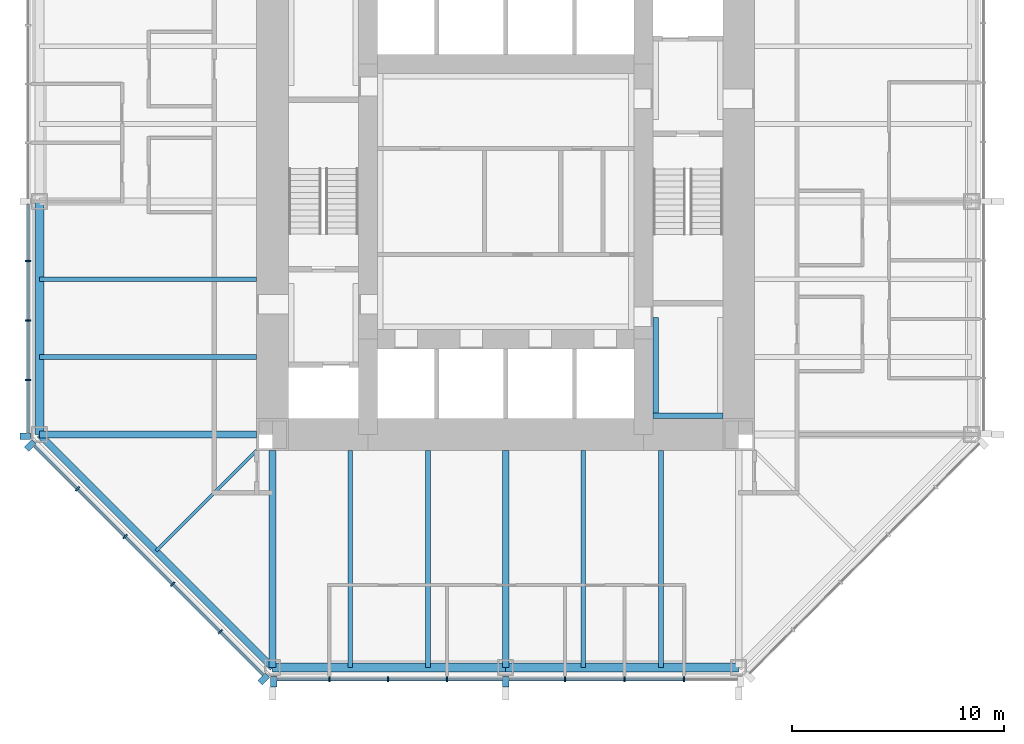
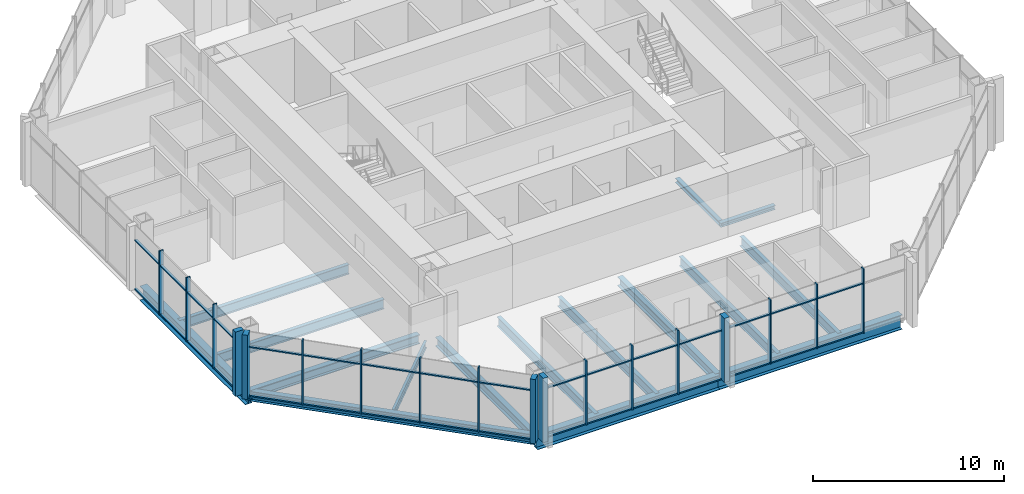
# One storey, part 2 of 12: 50 members, 16 beams, 3 elements without a shape of their own.
"""IFC4 building model written with IfcOpenShell, lengths in metres."""

from ifc_helpers import new_model, si_unit, direction, frame, origin, origin_2d, place, context, subcontext, project, spatial, rectangle, i_section, extrude, material, material_profile, profile_set, type_object, element, aggregate, save


model = new_model("IFC4")

# Units and contexts
model_context = context("Model", 3, precision=1e-05, world=origin(), true_north=direction((0.0, 1.0)))
body_context = subcontext(model_context, "Body", "Model", "MODEL_VIEW")
ifc_project = project(units=[si_unit("LENGTHUNIT", "METRE"), si_unit("AREAUNIT", "SQUARE_METRE"), si_unit("VOLUMEUNIT", "CUBIC_METRE"), si_unit("PLANEANGLEUNIT", "RADIAN"), si_unit("MASSUNIT", "GRAM", prefix="KILO")], contexts=[model_context])

# Site, building, storey
site_placement = place(None, origin())
site = spatial("IfcSite", under=ifc_project, at=site_placement, CompositionType="ELEMENT")
building_placement = place(site_placement, origin())
building = spatial("IfcBuilding", under=site, at=building_placement, Name="Trevanion Tower", CompositionType="ELEMENT")
storey_placement = place(building_placement, frame((0.0, 0.0, 137.699951171875)))
storey = spatial("IfcBuildingStorey", under=building, at=storey_placement, Name="L32", CompositionType="ELEMENT", Elevation=137.699951171875)

# Beams
ifc_material_1 = material(Name="Steel ASTM A992 Grade 50", Category="steel")
ifc_material_profile_1 = material_profile(ifc_material_1, i_section(OverallWidth=0.22900390625, OverallDepth=0.612060546875, WebThickness=0.011962890625, FlangeThickness=0.01953125, at=origin_2d()), Name="W24X84")
ifc_profile_set_1 = profile_set([ifc_material_profile_1], Name="Steel ASTM A992 Grade 50")
beam_type_1 = type_object("IfcBeamType", Name="B7 W24X84", PredefinedType="BEAM", material=ifc_profile_set_1)
for number, where, z_axis, x_axis, name in (
    (1, (-11.75, -3.666748046875, -0.49609375), (-1.0, 0.0, 0.0), (0.0, -1.0, 0.0), "B7 L32"),
    (2, (-11.75, -7.333251953125, -0.49609375), (-1.0, 0.0, 0.0), (0.0, -1.0, 0.0), "B7 L32"),
    (3, (-7.333251953125, -11.75, -0.49609375), (0.0, -1.0, 0.0), (1.0, 0.0, 0.0), "B7 L32"),
    (4, (-3.666748046875, -11.75, -0.49609375), (0.0, -1.0, 0.0), (1.0, 0.0, 0.0), "B7 L32"),
    (5, (3.666748046875, -11.75, -0.49609375), (0.0, -1.0, 0.0), (1.0, 0.0, 0.0), "B7 L32"),
    (6, (7.333251953125, -11.75, -0.49609375), (0.0, -1.0, 0.0), (1.0, 0.0, 0.0), "B7 L32"),
):
    element("IfcBeam", number, at=place(storey_placement, frame(where, z_axis=z_axis, x_axis=x_axis)), inside=storey, type_object=beam_type_1, Name=name, PredefinedType="BEAM", context=body_context, shape_type="SweptSolid", body=[
        extrude(i_section(OverallWidth=0.22900390625, OverallDepth=0.612060546875, WebThickness=0.011962890625, FlangeThickness=0.01953125, at=origin_2d()), origin(), (0.0, 0.0, 1.0), 10.25),
    ])
ifc_material_2 = material(Name="Steel ASTM A992 Grade 50", Category="steel")
ifc_material_profile_2 = material_profile(ifc_material_2, i_section(OverallWidth=0.15234375, OverallDepth=0.449462890625, WebThickness=0.007568359375, FlangeThickness=0.0107421875, at=origin_2d()), Name="W18X35")
ifc_profile_set_2 = profile_set([ifc_material_profile_2], Name="Steel ASTM A992 Grade 50")
beam_type_2 = type_object("IfcBeamType", Name="B8 W18X35", PredefinedType="BEAM", material=ifc_profile_set_2)
beam_1_placement = place(storey_placement, frame((-11.75, -11.75, -0.414794921875), z_axis=(-0.707106781187, -0.707106781187, 0.0), x_axis=(0.707106781187, -0.707106781187, 0.0)))
element("IfcBeam", 7, at=beam_1_placement, inside=storey, type_object=beam_type_2, Name="B8 L32", PredefinedType="BEAM", context=body_context, shape_type="SweptSolid", body=[
    extrude(i_section(OverallWidth=0.15234375, OverallDepth=0.449462890625, WebThickness=0.007568359375, FlangeThickness=0.0107421875, at=origin_2d()), origin(), (0.0, 0.0, 1.0), 6.717529296875),
])

# Curtain wall, members
ifc_material_3 = material(Name="Aluminium and glass", Category="aluminium")
curtain_wall_type = type_object("IfcCurtainWallType", Name="CW2 curtain wall", PredefinedType="USERDEFINED", material=ifc_material_3)
curtain_wall_1_placement = place(storey_placement, origin())
curtain_wall_1 = element("IfcCurtainWall", 8, at=curtain_wall_1_placement, inside=storey, type_object=curtain_wall_type, Name="CW2 L32 4", ObjectType="UNITISED CURTAIN WALL", PredefinedType="USERDEFINED")
ifc_material_4 = material(Name="Aluminium extrusion, anodised bronze", Category="aluminium")
ifc_material_profile_3 = material_profile(ifc_material_4, rectangle(XDim=0.074951171875, YDim=0.25, at=origin_2d()), Name="CW2 mullion")
ifc_profile_set_3 = profile_set([ifc_material_profile_3], Name="Aluminium extrusion, anodised bronze")
member_type_1 = type_object("IfcMemberType", Name="CW2 mullion", PredefinedType="MULLION", material=ifc_profile_set_3)
member_1_placement = place(storey_placement, frame((-22.550048828125, -2.806884765625, -0.18994140625), z_axis=(0.0, 0.0, 1.0), x_axis=(0.0, -1.0, 0.0)))
member_1 = element("IfcMember", 9, at=member_1_placement, type_object=member_type_1, Name="CW2 mullion 6", PredefinedType="MULLION", context=body_context, shape_type="SweptSolid", body=[
    extrude(rectangle(XDim=0.074951171875, YDim=0.25, at=origin_2d()), origin(), (0.0, 0.0, 1.0), 4.10009765625),
])
member_2_placement = place(storey_placement, frame((-22.550048828125, -5.614013671875, -0.18994140625), z_axis=(0.0, 0.0, 1.0), x_axis=(0.0, -1.0, 0.0)))
member_2 = element("IfcMember", 10, at=member_2_placement, type_object=member_type_1, Name="CW2 mullion 7", PredefinedType="MULLION", context=body_context, shape_type="SweptSolid", body=[
    extrude(rectangle(XDim=0.074951171875, YDim=0.25, at=origin_2d()), origin(), (0.0, 0.0, 1.0), 4.10009765625),
])
member_3_placement = place(storey_placement, frame((-22.550048828125, -8.4208984375, -0.18994140625), z_axis=(0.0, 0.0, 1.0), x_axis=(0.0, -1.0, 0.0)))
member_3 = element("IfcMember", 11, at=member_3_placement, type_object=member_type_1, Name="CW2 mullion 8", PredefinedType="MULLION", context=body_context, shape_type="SweptSolid", body=[
    extrude(rectangle(XDim=0.074951171875, YDim=0.25, at=origin_2d()), origin(), (0.0, 0.0, 1.0), 4.10009765625),
])

curtain_wall_2_placement = place(storey_placement, origin())
curtain_wall_2 = element("IfcCurtainWall", 12, at=curtain_wall_2_placement, inside=storey, type_object=curtain_wall_type, Name="CW2 L32 5", ObjectType="UNITISED CURTAIN WALL", PredefinedType="USERDEFINED")
member_4_placement = place(storey_placement, frame((-20.2119140625, -13.56591796875, -0.18994140625), z_axis=(0.0, 0.0, 1.0), x_axis=(0.707106781187, -0.707106781187, 0.0)))
member_4 = element("IfcMember", 13, at=member_4_placement, type_object=member_type_1, Name="CW2 mullion 2", PredefinedType="MULLION", context=body_context, shape_type="SweptSolid", body=[
    extrude(rectangle(XDim=0.074951171875, YDim=0.25, at=origin_2d()), origin(), (0.0, 0.0, 1.0), 4.10009765625),
])
member_5_placement = place(storey_placement, frame((-17.966064453125, -15.811767578125, -0.18994140625), z_axis=(0.0, 0.0, 1.0), x_axis=(0.707106781187, -0.707106781187, 0.0)))
member_5 = element("IfcMember", 14, at=member_5_placement, type_object=member_type_1, Name="CW2 mullion 3", PredefinedType="MULLION", context=body_context, shape_type="SweptSolid", body=[
    extrude(rectangle(XDim=0.074951171875, YDim=0.25, at=origin_2d()), origin(), (0.0, 0.0, 1.0), 4.10009765625),
])
member_6_placement = place(storey_placement, frame((-15.719970703125, -18.057861328125, -0.18994140625), z_axis=(0.0, 0.0, 1.0), x_axis=(0.707106781187, -0.707106781187, 0.0)))
member_6 = element("IfcMember", 15, at=member_6_placement, type_object=member_type_1, Name="CW2 mullion 4", PredefinedType="MULLION", context=body_context, shape_type="SweptSolid", body=[
    extrude(rectangle(XDim=0.074951171875, YDim=0.25, at=origin_2d()), origin(), (0.0, 0.0, 1.0), 4.10009765625),
])
member_7_placement = place(storey_placement, frame((-13.473876953125, -20.303955078125, -0.18994140625), z_axis=(0.0, 0.0, 1.0), x_axis=(0.707106781187, -0.707106781187, 0.0)))
member_7 = element("IfcMember", 16, at=member_7_placement, type_object=member_type_1, Name="CW2 mullion 5", PredefinedType="MULLION", context=body_context, shape_type="SweptSolid", body=[
    extrude(rectangle(XDim=0.074951171875, YDim=0.25, at=origin_2d()), origin(), (0.0, 0.0, 1.0), 4.10009765625),
])

curtain_wall_3_placement = place(storey_placement, origin())
curtain_wall_3 = element("IfcCurtainWall", 17, at=curtain_wall_3_placement, inside=storey, type_object=curtain_wall_type, Name="CW2 L32 6", ObjectType="UNITISED CURTAIN WALL", PredefinedType="USERDEFINED")
member_8_placement = place(storey_placement, frame((-8.323486328125, -22.550048828125, -0.18994140625), z_axis=(0.0, 0.0, 1.0), x_axis=(1.0, 0.0, 0.0)))
member_8 = element("IfcMember", 18, at=member_8_placement, type_object=member_type_1, Name="CW2 mullion 2", PredefinedType="MULLION", context=body_context, shape_type="SweptSolid", body=[
    extrude(rectangle(XDim=0.074951171875, YDim=0.25, at=origin_2d()), origin(), (0.0, 0.0, 1.0), 4.10009765625),
])
member_9_placement = place(storey_placement, frame((-5.548828125, -22.550048828125, -0.18994140625), z_axis=(0.0, 0.0, 1.0), x_axis=(1.0, 0.0, 0.0)))
member_9 = element("IfcMember", 19, at=member_9_placement, type_object=member_type_1, Name="CW2 mullion 3", PredefinedType="MULLION", context=body_context, shape_type="SweptSolid", body=[
    extrude(rectangle(XDim=0.074951171875, YDim=0.25, at=origin_2d()), origin(), (0.0, 0.0, 1.0), 4.10009765625),
])
member_10_placement = place(storey_placement, frame((-2.7744140625, -22.550048828125, -0.18994140625), z_axis=(0.0, 0.0, 1.0), x_axis=(1.0, 0.0, 0.0)))
member_10 = element("IfcMember", 20, at=member_10_placement, type_object=member_type_1, Name="CW2 mullion 4", PredefinedType="MULLION", context=body_context, shape_type="SweptSolid", body=[
    extrude(rectangle(XDim=0.074951171875, YDim=0.25, at=origin_2d()), origin(), (0.0, 0.0, 1.0), 4.10009765625),
])
member_11_placement = place(storey_placement, frame((2.806884765625, -22.550048828125, -0.18994140625), z_axis=(0.0, 0.0, 1.0), x_axis=(1.0, 0.0, 0.0)))
member_11 = element("IfcMember", 21, at=member_11_placement, type_object=member_type_1, Name="CW2 mullion 6", PredefinedType="MULLION", context=body_context, shape_type="SweptSolid", body=[
    extrude(rectangle(XDim=0.074951171875, YDim=0.25, at=origin_2d()), origin(), (0.0, 0.0, 1.0), 4.10009765625),
])
member_12_placement = place(storey_placement, frame((5.614013671875, -22.550048828125, -0.18994140625), z_axis=(0.0, 0.0, 1.0), x_axis=(1.0, 0.0, 0.0)))
member_12 = element("IfcMember", 22, at=member_12_placement, type_object=member_type_1, Name="CW2 mullion 7", PredefinedType="MULLION", context=body_context, shape_type="SweptSolid", body=[
    extrude(rectangle(XDim=0.074951171875, YDim=0.25, at=origin_2d()), origin(), (0.0, 0.0, 1.0), 4.10009765625),
])
member_13_placement = place(storey_placement, frame((8.4208984375, -22.550048828125, -0.18994140625), z_axis=(0.0, 0.0, 1.0), x_axis=(1.0, 0.0, 0.0)))
member_13 = element("IfcMember", 23, at=member_13_placement, type_object=member_type_1, Name="CW2 mullion 8", PredefinedType="MULLION", context=body_context, shape_type="SweptSolid", body=[
    extrude(rectangle(XDim=0.074951171875, YDim=0.25, at=origin_2d()), origin(), (0.0, 0.0, 1.0), 4.10009765625),
])

# Member
ifc_material_5 = material(Name="Aluminium extrusion, anodised bronze", Category="aluminium")
ifc_material_profile_4 = material_profile(ifc_material_5, rectangle(XDim=0.300048828125, YDim=0.5, at=origin_2d()), Name="CW2 pier mullion")
ifc_profile_set_4 = profile_set([ifc_material_profile_4], Name="Aluminium extrusion, anodised bronze")
member_type_2 = type_object("IfcMemberType", Name="CW2 pier mullion", PredefinedType="MULLION", material=ifc_profile_set_4)
member_14_placement = place(storey_placement, frame((-22.675048828125, -11.077880859375, -0.18994140625), z_axis=(0.0, 0.0, 1.0), x_axis=(0.0, -1.0, 0.0)))
member_14 = element("IfcMember", 24, at=member_14_placement, type_object=member_type_2, Name="CW2 pier mullion 9", PredefinedType="MULLION", context=body_context, shape_type="SweptSolid", body=[
    extrude(rectangle(XDim=0.300048828125, YDim=0.5, at=origin_2d()), origin(), (0.0, 0.0, 1.0), 4.10009765625),
])

member_15_placement = place(storey_placement, frame((-22.4404296875, -11.51416015625, -0.18994140625), z_axis=(0.0, 0.0, 1.0), x_axis=(0.707106781187, -0.707106781187, 0.0)))
member_15 = element("IfcMember", 25, at=member_15_placement, type_object=member_type_2, Name="CW2 pier mullion 1", PredefinedType="MULLION", context=body_context, shape_type="SweptSolid", body=[
    extrude(rectangle(XDim=0.300048828125, YDim=0.5, at=origin_2d()), origin(), (0.0, 0.0, 1.0), 4.10009765625),
])

member_16_placement = place(storey_placement, frame((-11.42236328125, -22.5322265625, -0.18994140625), z_axis=(0.0, 0.0, 1.0), x_axis=(0.707106781187, -0.707106781187, 0.0)))
member_16 = element("IfcMember", 26, at=member_16_placement, type_object=member_type_2, Name="CW2 pier mullion 6", PredefinedType="MULLION", context=body_context, shape_type="SweptSolid", body=[
    extrude(rectangle(XDim=0.300048828125, YDim=0.5, at=origin_2d()), origin(), (0.0, 0.0, 1.0), 4.10009765625),
])

member_17_placement = place(storey_placement, frame((-10.94775390625, -22.675048828125, -0.18994140625), z_axis=(0.0, 0.0, 1.0), x_axis=(1.0, 0.0, 0.0)))
member_17 = element("IfcMember", 27, at=member_17_placement, type_object=member_type_2, Name="CW2 pier mullion 1", PredefinedType="MULLION", context=body_context, shape_type="SweptSolid", body=[
    extrude(rectangle(XDim=0.300048828125, YDim=0.5, at=origin_2d()), origin(), (0.0, 0.0, 1.0), 4.10009765625),
])

member_18_placement = place(storey_placement, frame((0.0, -22.675048828125, -0.18994140625), z_axis=(0.0, 0.0, 1.0), x_axis=(1.0, 0.0, 0.0)))
member_18 = element("IfcMember", 28, at=member_18_placement, type_object=member_type_2, Name="CW2 pier mullion 5", PredefinedType="MULLION", context=body_context, shape_type="SweptSolid", body=[
    extrude(rectangle(XDim=0.300048828125, YDim=0.5, at=origin_2d()), origin(), (0.0, 0.0, 1.0), 4.10009765625),
])

ifc_material_6 = material(Name="Aluminium extrusion, anodised bronze", Category="aluminium")
ifc_material_profile_5 = material_profile(ifc_material_6, rectangle(XDim=0.14990234375, YDim=0.074951171875, at=origin_2d()), Name="CW2 transom")
ifc_profile_set_5 = profile_set([ifc_material_profile_5], Name="Aluminium extrusion, anodised bronze")
member_type_3 = type_object("IfcMemberType", Name="CW2 transom", PredefinedType="USERDEFINED", material=ifc_profile_set_5)
member_19_placement = place(storey_placement, frame((-22.550048828125, -0.14990234375, -0.15234375), z_axis=(0.0, -1.0, 0.0), x_axis=(1.0, 0.0, 0.0)))
member_19 = element("IfcMember", 29, at=member_19_placement, type_object=member_type_3, Name="CW2 transom 5.1", ObjectType="TRANSOM", PredefinedType="USERDEFINED", context=body_context, shape_type="SweptSolid", body=[
    extrude(rectangle(XDim=0.14990234375, YDim=0.074951171875, at=origin_2d()), origin(), (0.0, 0.0, 1.0), 2.619384765625),
])

member_20_placement = place(storey_placement, frame((-22.550048828125, -0.14990234375, 2.9599609375), z_axis=(0.0, -1.0, 0.0), x_axis=(1.0, 0.0, 0.0)))
member_20 = element("IfcMember", 30, at=member_20_placement, type_object=member_type_3, Name="CW2 transom 5.2", ObjectType="TRANSOM", PredefinedType="USERDEFINED", context=body_context, shape_type="SweptSolid", body=[
    extrude(rectangle(XDim=0.14990234375, YDim=0.074951171875, at=origin_2d()), origin(), (0.0, 0.0, 1.0), 2.619384765625),
])

member_21_placement = place(storey_placement, frame((-22.550048828125, -2.844482421875, -0.15234375), z_axis=(0.0, -1.0, 0.0), x_axis=(1.0, 0.0, 0.0)))
member_21 = element("IfcMember", 31, at=member_21_placement, type_object=member_type_3, Name="CW2 transom 6.1", ObjectType="TRANSOM", PredefinedType="USERDEFINED", context=body_context, shape_type="SweptSolid", body=[
    extrude(rectangle(XDim=0.14990234375, YDim=0.074951171875, at=origin_2d()), origin(), (0.0, 0.0, 1.0), 2.73193359375),
])

member_22_placement = place(storey_placement, frame((-22.550048828125, -2.844482421875, 2.9599609375), z_axis=(0.0, -1.0, 0.0), x_axis=(1.0, 0.0, 0.0)))
member_22 = element("IfcMember", 32, at=member_22_placement, type_object=member_type_3, Name="CW2 transom 6.2", ObjectType="TRANSOM", PredefinedType="USERDEFINED", context=body_context, shape_type="SweptSolid", body=[
    extrude(rectangle(XDim=0.14990234375, YDim=0.074951171875, at=origin_2d()), origin(), (0.0, 0.0, 1.0), 2.73193359375),
])

member_23_placement = place(storey_placement, frame((-22.550048828125, -5.6513671875, -0.15234375), z_axis=(0.0, -1.0, 0.0), x_axis=(1.0, 0.0, 0.0)))
member_23 = element("IfcMember", 33, at=member_23_placement, type_object=member_type_3, Name="CW2 transom 7.1", ObjectType="TRANSOM", PredefinedType="USERDEFINED", context=body_context, shape_type="SweptSolid", body=[
    extrude(rectangle(XDim=0.14990234375, YDim=0.074951171875, at=origin_2d()), origin(), (0.0, 0.0, 1.0), 2.73193359375),
])

member_24_placement = place(storey_placement, frame((-22.550048828125, -5.6513671875, 2.9599609375), z_axis=(0.0, -1.0, 0.0), x_axis=(1.0, 0.0, 0.0)))
member_24 = element("IfcMember", 34, at=member_24_placement, type_object=member_type_3, Name="CW2 transom 7.2", ObjectType="TRANSOM", PredefinedType="USERDEFINED", context=body_context, shape_type="SweptSolid", body=[
    extrude(rectangle(XDim=0.14990234375, YDim=0.074951171875, at=origin_2d()), origin(), (0.0, 0.0, 1.0), 2.73193359375),
])

member_25_placement = place(storey_placement, frame((-22.550048828125, -8.45849609375, -0.15234375), z_axis=(0.0, -1.0, 0.0), x_axis=(1.0, 0.0, 0.0)))
member_25 = element("IfcMember", 35, at=member_25_placement, type_object=member_type_3, Name="CW2 transom 8.1", ObjectType="TRANSOM", PredefinedType="USERDEFINED", context=body_context, shape_type="SweptSolid", body=[
    extrude(rectangle(XDim=0.14990234375, YDim=0.074951171875, at=origin_2d()), origin(), (0.0, 0.0, 1.0), 2.46923828125),
])

member_26_placement = place(storey_placement, frame((-22.550048828125, -8.45849609375, 2.9599609375), z_axis=(0.0, -1.0, 0.0), x_axis=(1.0, 0.0, 0.0)))
member_26 = element("IfcMember", 36, at=member_26_placement, type_object=member_type_3, Name="CW2 transom 8.2", ObjectType="TRANSOM", PredefinedType="USERDEFINED", context=body_context, shape_type="SweptSolid", body=[
    extrude(rectangle(XDim=0.14990234375, YDim=0.074951171875, at=origin_2d()), origin(), (0.0, 0.0, 1.0), 2.46923828125),
])

aggregate(curtain_wall_1, [member_1, member_2, member_3, member_14, member_19, member_20, member_21, member_22, member_23, member_24, member_25, member_26])

member_27_placement = place(storey_placement, frame((-22.245849609375, -11.531982421875, -0.15234375), z_axis=(0.707106781187, -0.707106781187, 0.0), x_axis=(0.707106781187, 0.707106781187, 0.0)))
member_27 = element("IfcMember", 37, at=member_27_placement, type_object=member_type_3, Name="CW2 transom 1.1", ObjectType="TRANSOM", PredefinedType="USERDEFINED", context=body_context, shape_type="SweptSolid", body=[
    extrude(rectangle(XDim=0.14990234375, YDim=0.074951171875, at=origin_2d()), origin(), (0.0, 0.0, 1.0), 2.8388671875),
])

member_28_placement = place(storey_placement, frame((-22.245849609375, -11.531982421875, 2.9599609375), z_axis=(0.707106781187, -0.707106781187, 0.0), x_axis=(0.707106781187, 0.707106781187, 0.0)))
member_28 = element("IfcMember", 38, at=member_28_placement, type_object=member_type_3, Name="CW2 transom 1.2", ObjectType="TRANSOM", PredefinedType="USERDEFINED", context=body_context, shape_type="SweptSolid", body=[
    extrude(rectangle(XDim=0.14990234375, YDim=0.074951171875, at=origin_2d()), origin(), (0.0, 0.0, 1.0), 2.8388671875),
])

member_29_placement = place(storey_placement, frame((-20.185546875, -13.59228515625, -0.15234375), z_axis=(0.707106781187, -0.707106781187, 0.0), x_axis=(0.707106781187, 0.707106781187, 0.0)))
member_29 = element("IfcMember", 39, at=member_29_placement, type_object=member_type_3, Name="CW2 transom 2.1", ObjectType="TRANSOM", PredefinedType="USERDEFINED", context=body_context, shape_type="SweptSolid", body=[
    extrude(rectangle(XDim=0.14990234375, YDim=0.074951171875, at=origin_2d()), origin(), (0.0, 0.0, 1.0), 3.1015625),
])

member_30_placement = place(storey_placement, frame((-20.185546875, -13.59228515625, 2.9599609375), z_axis=(0.707106781187, -0.707106781187, 0.0), x_axis=(0.707106781187, 0.707106781187, 0.0)))
member_30 = element("IfcMember", 40, at=member_30_placement, type_object=member_type_3, Name="CW2 transom 2.2", ObjectType="TRANSOM", PredefinedType="USERDEFINED", context=body_context, shape_type="SweptSolid", body=[
    extrude(rectangle(XDim=0.14990234375, YDim=0.074951171875, at=origin_2d()), origin(), (0.0, 0.0, 1.0), 3.1015625),
])

member_31_placement = place(storey_placement, frame((-17.939453125, -15.83837890625, -0.15234375), z_axis=(0.707106781187, -0.707106781187, 0.0), x_axis=(0.707106781187, 0.707106781187, 0.0)))
member_31 = element("IfcMember", 41, at=member_31_placement, type_object=member_type_3, Name="CW2 transom 3.1", ObjectType="TRANSOM", PredefinedType="USERDEFINED", context=body_context, shape_type="SweptSolid", body=[
    extrude(rectangle(XDim=0.14990234375, YDim=0.074951171875, at=origin_2d()), origin(), (0.0, 0.0, 1.0), 3.1015625),
])

member_32_placement = place(storey_placement, frame((-17.939453125, -15.83837890625, 2.9599609375), z_axis=(0.707106781187, -0.707106781187, 0.0), x_axis=(0.707106781187, 0.707106781187, 0.0)))
member_32 = element("IfcMember", 42, at=member_32_placement, type_object=member_type_3, Name="CW2 transom 3.2", ObjectType="TRANSOM", PredefinedType="USERDEFINED", context=body_context, shape_type="SweptSolid", body=[
    extrude(rectangle(XDim=0.14990234375, YDim=0.074951171875, at=origin_2d()), origin(), (0.0, 0.0, 1.0), 3.1015625),
])

member_33_placement = place(storey_placement, frame((-15.693359375, -18.08447265625, -0.15234375), z_axis=(0.707106781187, -0.707106781187, 0.0), x_axis=(0.707106781187, 0.707106781187, 0.0)))
member_33 = element("IfcMember", 43, at=member_33_placement, type_object=member_type_3, Name="CW2 transom 4.1", ObjectType="TRANSOM", PredefinedType="USERDEFINED", context=body_context, shape_type="SweptSolid", body=[
    extrude(rectangle(XDim=0.14990234375, YDim=0.074951171875, at=origin_2d()), origin(), (0.0, 0.0, 1.0), 3.10107421875),
])

member_34_placement = place(storey_placement, frame((-15.693359375, -18.08447265625, 2.9599609375), z_axis=(0.707106781187, -0.707106781187, 0.0), x_axis=(0.707106781187, 0.707106781187, 0.0)))
member_34 = element("IfcMember", 44, at=member_34_placement, type_object=member_type_3, Name="CW2 transom 4.2", ObjectType="TRANSOM", PredefinedType="USERDEFINED", context=body_context, shape_type="SweptSolid", body=[
    extrude(rectangle(XDim=0.14990234375, YDim=0.074951171875, at=origin_2d()), origin(), (0.0, 0.0, 1.0), 3.10107421875),
])

member_35_placement = place(storey_placement, frame((-13.447509765625, -20.33056640625, -0.15234375), z_axis=(0.707149778163, -0.707063781595, 0.0), x_axis=(0.707063781595, 0.707149778163, 0.0)))
member_35 = element("IfcMember", 45, at=member_35_placement, type_object=member_type_3, Name="CW2 transom 5.1", ObjectType="TRANSOM", PredefinedType="USERDEFINED", context=body_context, shape_type="SweptSolid", body=[
    extrude(rectangle(XDim=0.14990234375, YDim=0.074951171875, at=origin_2d()), origin(), (0.0, 0.0, 1.0), 2.8388671875),
])

member_36_placement = place(storey_placement, frame((-13.447509765625, -20.33056640625, 2.9599609375), z_axis=(0.707149778163, -0.707063781595, 0.0), x_axis=(0.707063781595, 0.707149778163, 0.0)))
member_36 = element("IfcMember", 46, at=member_36_placement, type_object=member_type_3, Name="CW2 transom 5.2", ObjectType="TRANSOM", PredefinedType="USERDEFINED", context=body_context, shape_type="SweptSolid", body=[
    extrude(rectangle(XDim=0.14990234375, YDim=0.074951171875, at=origin_2d()), origin(), (0.0, 0.0, 1.0), 2.8388671875),
])

aggregate(curtain_wall_2, [member_15, member_4, member_5, member_6, member_7, member_16, member_27, member_28, member_29, member_30, member_31, member_32, member_33, member_34, member_35, member_36])

member_37_placement = place(storey_placement, frame((-10.7978515625, -22.550048828125, -0.15234375), z_axis=(1.0, 0.0, 0.0), x_axis=(0.0, 1.0, 0.0)))
member_37 = element("IfcMember", 47, at=member_37_placement, type_object=member_type_3, Name="CW2 transom 1.1", ObjectType="TRANSOM", PredefinedType="USERDEFINED", context=body_context, shape_type="SweptSolid", body=[
    extrude(rectangle(XDim=0.14990234375, YDim=0.074951171875, at=origin_2d()), origin(), (0.0, 0.0, 1.0), 2.43701171875),
])

member_38_placement = place(storey_placement, frame((-10.7978515625, -22.550048828125, 2.9599609375), z_axis=(1.0, 0.0, 0.0), x_axis=(0.0, 1.0, 0.0)))
member_38 = element("IfcMember", 48, at=member_38_placement, type_object=member_type_3, Name="CW2 transom 1.2", ObjectType="TRANSOM", PredefinedType="USERDEFINED", context=body_context, shape_type="SweptSolid", body=[
    extrude(rectangle(XDim=0.14990234375, YDim=0.074951171875, at=origin_2d()), origin(), (0.0, 0.0, 1.0), 2.43701171875),
])

member_39_placement = place(storey_placement, frame((-8.285888671875, -22.550048828125, -0.15234375), z_axis=(1.0, 0.0, 0.0), x_axis=(0.0, 1.0, 0.0)))
member_39 = element("IfcMember", 49, at=member_39_placement, type_object=member_type_3, Name="CW2 transom 2.1", ObjectType="TRANSOM", PredefinedType="USERDEFINED", context=body_context, shape_type="SweptSolid", body=[
    extrude(rectangle(XDim=0.14990234375, YDim=0.074951171875, at=origin_2d()), origin(), (0.0, 0.0, 1.0), 2.699462890625),
])

member_40_placement = place(storey_placement, frame((-8.285888671875, -22.550048828125, 2.9599609375), z_axis=(1.0, 0.0, 0.0), x_axis=(0.0, 1.0, 0.0)))
member_40 = element("IfcMember", 50, at=member_40_placement, type_object=member_type_3, Name="CW2 transom 2.2", ObjectType="TRANSOM", PredefinedType="USERDEFINED", context=body_context, shape_type="SweptSolid", body=[
    extrude(rectangle(XDim=0.14990234375, YDim=0.074951171875, at=origin_2d()), origin(), (0.0, 0.0, 1.0), 2.699462890625),
])

member_41_placement = place(storey_placement, frame((-5.511474609375, -22.550048828125, -0.15234375), z_axis=(1.0, 0.0, 0.0), x_axis=(0.0, 1.0, 0.0)))
member_41 = element("IfcMember", 51, at=member_41_placement, type_object=member_type_3, Name="CW2 transom 3.1", ObjectType="TRANSOM", PredefinedType="USERDEFINED", context=body_context, shape_type="SweptSolid", body=[
    extrude(rectangle(XDim=0.14990234375, YDim=0.074951171875, at=origin_2d()), origin(), (0.0, 0.0, 1.0), 2.699462890625),
])

member_42_placement = place(storey_placement, frame((-5.511474609375, -22.550048828125, 2.9599609375), z_axis=(1.0, 0.0, 0.0), x_axis=(0.0, 1.0, 0.0)))
member_42 = element("IfcMember", 52, at=member_42_placement, type_object=member_type_3, Name="CW2 transom 3.2", ObjectType="TRANSOM", PredefinedType="USERDEFINED", context=body_context, shape_type="SweptSolid", body=[
    extrude(rectangle(XDim=0.14990234375, YDim=0.074951171875, at=origin_2d()), origin(), (0.0, 0.0, 1.0), 2.699462890625),
])

member_43_placement = place(storey_placement, frame((-2.737060546875, -22.550048828125, -0.15234375), z_axis=(1.0, 0.0, 0.0), x_axis=(0.0, 1.0, 0.0)))
member_43 = element("IfcMember", 53, at=member_43_placement, type_object=member_type_3, Name="CW2 transom 4.1", ObjectType="TRANSOM", PredefinedType="USERDEFINED", context=body_context, shape_type="SweptSolid", body=[
    extrude(rectangle(XDim=0.14990234375, YDim=0.074951171875, at=origin_2d()), origin(), (0.0, 0.0, 1.0), 2.587158203125),
])

member_44_placement = place(storey_placement, frame((-2.737060546875, -22.550048828125, 2.9599609375), z_axis=(1.0, 0.0, 0.0), x_axis=(0.0, 1.0, 0.0)))
member_44 = element("IfcMember", 54, at=member_44_placement, type_object=member_type_3, Name="CW2 transom 4.2", ObjectType="TRANSOM", PredefinedType="USERDEFINED", context=body_context, shape_type="SweptSolid", body=[
    extrude(rectangle(XDim=0.14990234375, YDim=0.074951171875, at=origin_2d()), origin(), (0.0, 0.0, 1.0), 2.587158203125),
])

member_45_placement = place(storey_placement, frame((0.14990234375, -22.550048828125, -0.15234375), z_axis=(1.0, 0.0, 0.0), x_axis=(0.0, 1.0, 0.0)))
member_45 = element("IfcMember", 55, at=member_45_placement, type_object=member_type_3, Name="CW2 transom 5.1", ObjectType="TRANSOM", PredefinedType="USERDEFINED", context=body_context, shape_type="SweptSolid", body=[
    extrude(rectangle(XDim=0.14990234375, YDim=0.074951171875, at=origin_2d()), origin(), (0.0, 0.0, 1.0), 2.619384765625),
])

member_46_placement = place(storey_placement, frame((0.14990234375, -22.550048828125, 2.9599609375), z_axis=(1.0, 0.0, 0.0), x_axis=(0.0, 1.0, 0.0)))
member_46 = element("IfcMember", 56, at=member_46_placement, type_object=member_type_3, Name="CW2 transom 5.2", ObjectType="TRANSOM", PredefinedType="USERDEFINED", context=body_context, shape_type="SweptSolid", body=[
    extrude(rectangle(XDim=0.14990234375, YDim=0.074951171875, at=origin_2d()), origin(), (0.0, 0.0, 1.0), 2.619384765625),
])

member_47_placement = place(storey_placement, frame((2.844482421875, -22.550048828125, -0.15234375), z_axis=(1.0, 0.0, 0.0), x_axis=(0.0, 1.0, 0.0)))
member_47 = element("IfcMember", 57, at=member_47_placement, type_object=member_type_3, Name="CW2 transom 6.1", ObjectType="TRANSOM", PredefinedType="USERDEFINED", context=body_context, shape_type="SweptSolid", body=[
    extrude(rectangle(XDim=0.14990234375, YDim=0.074951171875, at=origin_2d()), origin(), (0.0, 0.0, 1.0), 2.73193359375),
])

member_48_placement = place(storey_placement, frame((2.844482421875, -22.550048828125, 2.9599609375), z_axis=(1.0, 0.0, 0.0), x_axis=(0.0, 1.0, 0.0)))
member_48 = element("IfcMember", 58, at=member_48_placement, type_object=member_type_3, Name="CW2 transom 6.2", ObjectType="TRANSOM", PredefinedType="USERDEFINED", context=body_context, shape_type="SweptSolid", body=[
    extrude(rectangle(XDim=0.14990234375, YDim=0.074951171875, at=origin_2d()), origin(), (0.0, 0.0, 1.0), 2.73193359375),
])

member_49_placement = place(storey_placement, frame((5.6513671875, -22.550048828125, -0.15234375), z_axis=(1.0, 0.0, 0.0), x_axis=(0.0, 1.0, 0.0)))
member_49 = element("IfcMember", 59, at=member_49_placement, type_object=member_type_3, Name="CW2 transom 7.1", ObjectType="TRANSOM", PredefinedType="USERDEFINED", context=body_context, shape_type="SweptSolid", body=[
    extrude(rectangle(XDim=0.14990234375, YDim=0.074951171875, at=origin_2d()), origin(), (0.0, 0.0, 1.0), 2.73193359375),
])

member_50_placement = place(storey_placement, frame((5.6513671875, -22.550048828125, 2.9599609375), z_axis=(1.0, 0.0, 0.0), x_axis=(0.0, 1.0, 0.0)))
member_50 = element("IfcMember", 60, at=member_50_placement, type_object=member_type_3, Name="CW2 transom 7.2", ObjectType="TRANSOM", PredefinedType="USERDEFINED", context=body_context, shape_type="SweptSolid", body=[
    extrude(rectangle(XDim=0.14990234375, YDim=0.074951171875, at=origin_2d()), origin(), (0.0, 0.0, 1.0), 2.73193359375),
])

aggregate(curtain_wall_3, [member_17, member_8, member_9, member_10, member_18, member_11, member_12, member_13, member_37, member_38, member_39, member_40, member_41, member_42, member_43, member_44, member_45, member_46, member_47, member_48, member_49, member_50])

# Beams
ifc_material_7 = material(Name="Steel ASTM A992 Grade 50", Category="steel")
ifc_material_profile_6 = material_profile(ifc_material_7, i_section(OverallWidth=0.320068359375, OverallDepth=0.584228515625, WebThickness=0.023193359375, FlangeThickness=0.04150390625, at=origin_2d()), Name="W21X201")
ifc_profile_set_6 = profile_set([ifc_material_profile_6], Name="Steel ASTM A992 Grade 50")
beam_type_3 = type_object("IfcBeamType", Name="G4 W21X201", PredefinedType="BEAM", material=ifc_profile_set_6)
for number, where, z_axis, x_axis, name in (
    (61, (-11.75, -11.0, -0.48193359375), (-1.0, 0.0, 0.0), (0.0, -1.0, 0.0), "G4 L32"),
    (62, (-11.0, -11.75, -0.48193359375), (0.0, -1.0, 0.0), (1.0, 0.0, 0.0), "G4 L32"),
    (63, (0.0, -11.75, -0.48193359375), (0.0, -1.0, 0.0), (1.0, 0.0, 0.0), "G4 L32"),
):
    element("IfcBeam", number, at=place(storey_placement, frame(where, z_axis=z_axis, x_axis=x_axis)), inside=storey, type_object=beam_type_3, Name=name, PredefinedType="BEAM", context=body_context, shape_type="SweptSolid", body=[
        extrude(i_section(OverallWidth=0.320068359375, OverallDepth=0.584228515625, WebThickness=0.023193359375, FlangeThickness=0.04150390625, at=origin_2d()), origin(), (0.0, 0.0, 1.0), 10.25),
    ])
ifc_material_8 = material(Name="Steel ASTM A992 Grade 50", Category="steel")
ifc_material_profile_7 = material_profile(ifc_material_8, i_section(OverallWidth=0.256591796875, OverallDepth=0.26416015625, WebThickness=0.011962890625, FlangeThickness=0.01953125, at=origin_2d()), Name="W10X68")
ifc_profile_set_7 = profile_set([ifc_material_profile_7], Name="Steel ASTM A992 Grade 50")
beam_type_4 = type_object("IfcBeamType", Name="LB1 W10X68", PredefinedType="BEAM", material=ifc_profile_set_7)
beam_2_placement = place(storey_placement, frame((7.078369140625, -10.25, -0.33203125), z_axis=(0.0, 1.0, 0.0), x_axis=(-1.0, 0.0, 0.0)))
element("IfcBeam", 64, at=beam_2_placement, inside=storey, type_object=beam_type_4, Name="LB1 L32", PredefinedType="BEAM", context=body_context, shape_type="SweptSolid", body=[
    extrude(i_section(OverallWidth=0.256591796875, OverallDepth=0.26416015625, WebThickness=0.011962890625, FlangeThickness=0.01953125, at=origin_2d()), origin(), (0.0, 0.0, 1.0), 4.77490234375),
])
beam_3_placement = place(storey_placement, frame((6.949951171875, -10.12158203125, -0.33203125), z_axis=(1.0, 0.0, 0.0), x_axis=(0.0, 1.0, 0.0)))
element("IfcBeam", 65, at=beam_3_placement, inside=storey, type_object=beam_type_4, Name="LB1 L32", PredefinedType="BEAM", context=body_context, shape_type="SweptSolid", body=[
    extrude(i_section(OverallWidth=0.256591796875, OverallDepth=0.26416015625, WebThickness=0.011962890625, FlangeThickness=0.01953125, at=origin_2d()), origin(), (0.0, 0.0, 1.0), 3.300048828125),
])
ifc_material_9 = material(Name="Steel ASTM A992 Grade 50", Category="steel")
ifc_material_profile_8 = material_profile(ifc_material_9, i_section(OverallWidth=0.419189453125, OverallDepth=0.927001953125, WebThickness=0.019287109375, FlangeThickness=0.031982421875, at=origin_2d()), Name="W36X231")
ifc_profile_set_8 = profile_set([ifc_material_profile_8], Name="Steel ASTM A992 Grade 50")
beam_type_5 = type_object("IfcBeamType", Name="SB4 W36X231", PredefinedType="SPANDREL", material=ifc_profile_set_8)
for number, where, z_axis, x_axis, name in (
    (66, (-22.0, 0.0, -0.653564453125), (0.0, -1.0, 0.0), (1.0, 0.0, 0.0), "SB4 L32"),
    (67, (-11.0, -22.0, -0.653564453125), (1.0, 0.0, 0.0), (0.0, 1.0, 0.0), "SB4 L32"),
    (68, (0.0, -22.0, -0.653564453125), (1.0, 0.0, 0.0), (0.0, 1.0, 0.0), "SB4 L32"),
):
    element("IfcBeam", number, at=place(storey_placement, frame(where, z_axis=z_axis, x_axis=x_axis)), inside=storey, type_object=beam_type_5, Name=name, PredefinedType="SPANDREL", context=body_context, shape_type="SweptSolid", body=[
        extrude(i_section(OverallWidth=0.419189453125, OverallDepth=0.927001953125, WebThickness=0.019287109375, FlangeThickness=0.031982421875, at=origin_2d()), origin(), (0.0, 0.0, 1.0), 11.0),
    ])
ifc_material_10 = material(Name="Steel ASTM A992 Grade 50", Category="steel")
ifc_material_profile_9 = material_profile(ifc_material_10, i_section(OverallWidth=0.32763671875, OverallDepth=0.62744140625, WebThickness=0.0166015625, FlangeThickness=0.027587890625, at=origin_2d()), Name="W24X146")
ifc_profile_set_9 = profile_set([ifc_material_profile_9], Name="Steel ASTM A992 Grade 50")
beam_type_6 = type_object("IfcBeamType", Name="SB5 W24X146", PredefinedType="SPANDREL", material=ifc_profile_set_9)
beam_4_placement = place(storey_placement, frame((-22.0, -11.0, -0.503662109375), z_axis=(0.707106781187, -0.707106781187, 0.0), x_axis=(0.707106781187, 0.707106781187, 0.0)))
element("IfcBeam", 69, at=beam_4_placement, inside=storey, type_object=beam_type_6, Name="SB5 L32", PredefinedType="SPANDREL", context=body_context, shape_type="SweptSolid", body=[
    extrude(i_section(OverallWidth=0.32763671875, OverallDepth=0.62744140625, WebThickness=0.0166015625, FlangeThickness=0.027587890625, at=origin_2d()), origin(), (0.0, 0.0, 1.0), 15.556396484375),
])

save(model, "model.ifc")
